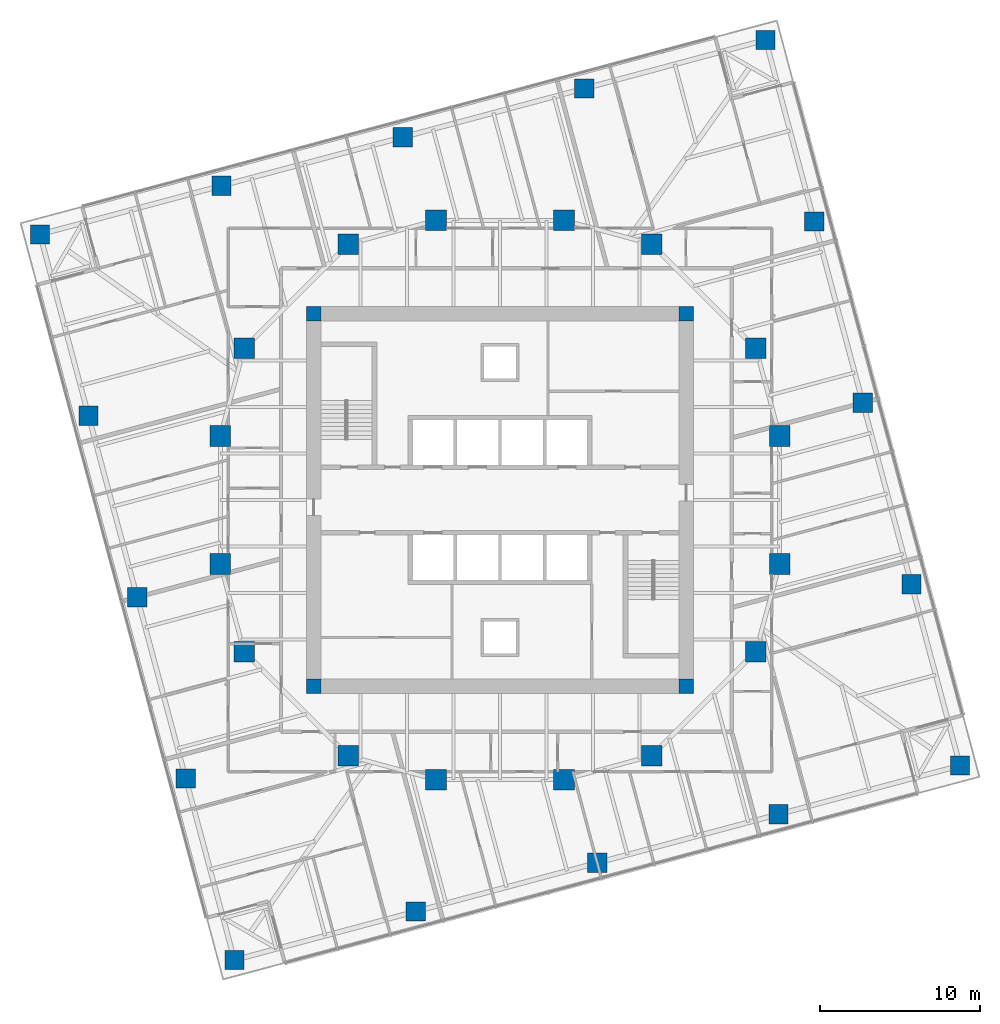
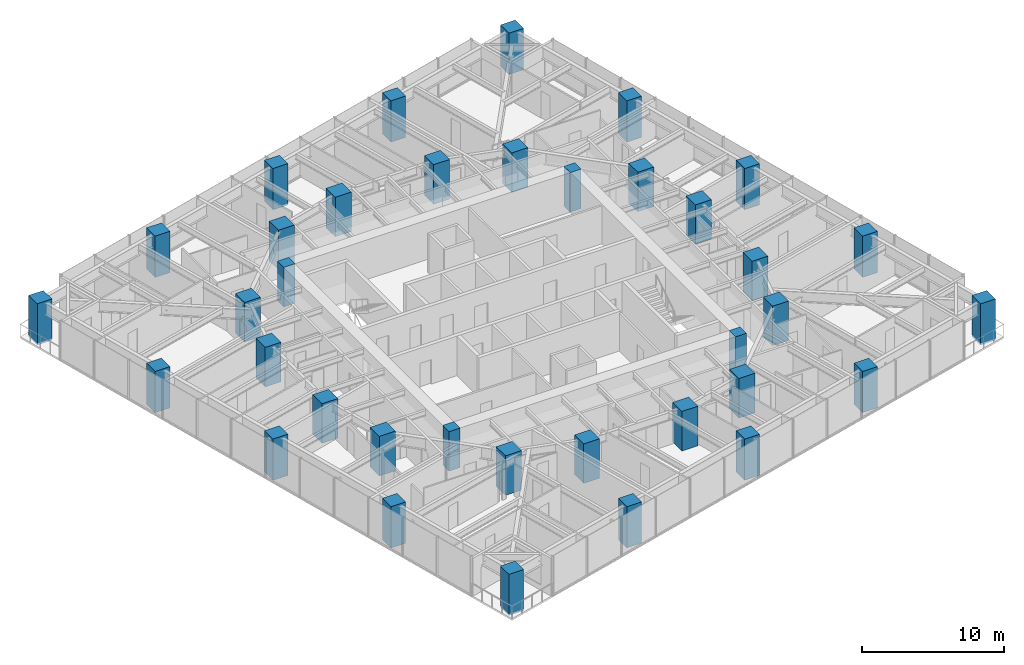
# One storey, part 1 of 14: 36 columns.
"""IFC4 building model written with IfcOpenShell, lengths in metres."""

from ifc_helpers import new_model, si_unit, direction, frame, origin, origin_2d, place, context, subcontext, project, spatial, rectangle, extrude, material, material_profile, profile_set, type_object, element, save


model = new_model("IFC4")

# Units and contexts
model_context = context("Model", 3, precision=1e-05, world=origin(), true_north=direction((0.0, 1.0)))
body_context = subcontext(model_context, "Body", "Model", "MODEL_VIEW")
ifc_project = project(units=[si_unit("LENGTHUNIT", "METRE"), si_unit("AREAUNIT", "SQUARE_METRE"), si_unit("VOLUMEUNIT", "CUBIC_METRE"), si_unit("PLANEANGLEUNIT", "RADIAN"), si_unit("MASSUNIT", "GRAM", prefix="KILO")], contexts=[model_context])

# Site, building, storey
site_placement = place(None, origin())
site = spatial("IfcSite", under=ifc_project, at=site_placement, CompositionType="ELEMENT")
building_placement = place(site_placement, origin())
building = spatial("IfcBuilding", under=site, at=building_placement, Name="Torsade Residences", CompositionType="ELEMENT")
storey_placement = place(building_placement, frame((0.0, 0.0, 111.60009765625)))
storey = spatial("IfcBuildingStorey", under=building, at=storey_placement, Name="L30", CompositionType="ELEMENT", Elevation=111.60009765625)

# Columns
ifc_material_1 = material(Name="Concrete 80 MPa", Category="concrete")
ifc_material_profile_1 = material_profile(ifc_material_1, rectangle(XDim=0.89990234375, YDim=0.89990234375, at=origin_2d()), Name="RC 900x900")
ifc_profile_set_1 = profile_set([ifc_material_profile_1], Name="Concrete 80 MPa")
column_type_1 = type_object("IfcColumnType", Name="CORE CORNER COLUMN RC 900x900", PredefinedType="COLUMN", material=ifc_profile_set_1)
for number, where, z_axis, x_axis, name in (
    (1, (28.35009765625, 18.35009765625, 0.0), (0.0, 0.0, 1.0), (1.0, 0.0, 0.0), "Core corner column CC1 L30"),
    (2, (51.64990234375, 18.35009765625, 0.0), (0.0, 0.0, 1.0), (1.0, 0.0, 0.0), "Core corner column CC2 L30"),
    (3, (51.64990234375, 41.64990234375, 0.0), (0.0, 0.0, 1.0), (1.0, 0.0, 0.0), "Core corner column CC3 L30"),
    (4, (28.35009765625, 41.64990234375, 0.0), (0.0, 0.0, 1.0), (1.0, 0.0, 0.0), "Core corner column CC4 L30"),
):
    element("IfcColumn", number, at=place(storey_placement, frame(where, z_axis=z_axis, x_axis=x_axis)), inside=storey, type_object=column_type_1, Name=name, PredefinedType="COLUMN", context=body_context, shape_type="SweptSolid", body=[
        extrude(rectangle(XDim=0.89990234375, YDim=0.89990234375, at=origin_2d()), origin(), (0.0, 0.0, 1.0), 3.39990234375),
    ])
ifc_material_2 = material(Name="Concrete 80 MPa", Category="concrete")
ifc_material_profile_2 = material_profile(ifc_material_2, rectangle(XDim=1.300048828125, YDim=1.300048828125, at=origin_2d()), Name="RC 1300x1300")
ifc_profile_set_2 = profile_set([ifc_material_profile_2], Name="Concrete 80 MPa")
column_type_2 = type_object("IfcColumnType", Name="INNER RING COLUMN RC 1300x1300", PredefinedType="COLUMN", material=ifc_profile_set_2)
for number, where, z_axis, x_axis, name in (
    (5, (57.5, 26.0, 0.0), (0.0, 0.0, 1.0), (1.0, 0.0, 0.0), "Inner ring column IR01 L30"),
    (6, (57.5, 34.0, 0.0), (0.0, 0.0, 1.0), (1.0, 0.0, 0.0), "Inner ring column IR02 L30"),
    (7, (56.0, 39.5, 0.0), (0.0, 0.0, 1.0), (1.0, 0.0, 0.0), "Inner ring column IR03 L30"),
    (8, (49.5, 46.0, 0.0), (0.0, 0.0, 1.0), (1.0, 0.0, 0.0), "Inner ring column IR04 L30"),
    (9, (44.0, 47.5, 0.0), (0.0, 0.0, 1.0), (1.0, 0.0, 0.0), "Inner ring column IR05 L30"),
    (10, (36.0, 47.5, 0.0), (0.0, 0.0, 1.0), (1.0, 0.0, 0.0), "Inner ring column IR06 L30"),
    (11, (30.5, 46.0, 0.0), (0.0, 0.0, 1.0), (1.0, 0.0, 0.0), "Inner ring column IR07 L30"),
    (12, (24.0, 39.5, 0.0), (0.0, 0.0, 1.0), (1.0, 0.0, 0.0), "Inner ring column IR08 L30"),
    (13, (22.5, 34.0, 0.0), (0.0, 0.0, 1.0), (1.0, 0.0, 0.0), "Inner ring column IR09 L30"),
    (14, (22.5, 26.0, 0.0), (0.0, 0.0, 1.0), (1.0, 0.0, 0.0), "Inner ring column IR10 L30"),
    (15, (24.0, 20.5, 0.0), (0.0, 0.0, 1.0), (1.0, 0.0, 0.0), "Inner ring column IR11 L30"),
    (16, (30.5, 14.0, 0.0), (0.0, 0.0, 1.0), (1.0, 0.0, 0.0), "Inner ring column IR12 L30"),
    (17, (36.0, 12.5, 0.0), (0.0, 0.0, 1.0), (1.0, 0.0, 0.0), "Inner ring column IR13 L30"),
    (18, (44.0, 12.5, 0.0), (0.0, 0.0, 1.0), (1.0, 0.0, 0.0), "Inner ring column IR14 L30"),
    (19, (49.5, 14.0, 0.0), (0.0, 0.0, 1.0), (1.0, 0.0, 0.0), "Inner ring column IR15 L30"),
    (20, (56.0, 20.5, 0.0), (0.0, 0.0, 1.0), (1.0, 0.0, 0.0), "Inner ring column IR16 L30"),
):
    element("IfcColumn", number, at=place(storey_placement, frame(where, z_axis=z_axis, x_axis=x_axis)), inside=storey, type_object=column_type_2, Name=name, PredefinedType="COLUMN", context=body_context, shape_type="SweptSolid", body=[
        extrude(rectangle(XDim=1.300048828125, YDim=1.300048828125, at=origin_2d()), origin(), (0.0, 0.0, 1.0), 3.39990234375),
    ])
ifc_material_3 = material(Name="Concrete 80 MPa", Category="concrete")
ifc_material_profile_3 = material_profile(ifc_material_3, rectangle(XDim=1.199951171875, YDim=1.199951171875, at=origin_2d()), Name="RC 1200x1200")
ifc_profile_set_3 = profile_set([ifc_material_profile_3], Name="Concrete 80 MPa")
column_type_3 = type_object("IfcColumnType", Name="TOWER COLUMN RC 1200x1200", PredefinedType="COLUMN", material=ifc_profile_set_3)
for number, where, z_axis, x_axis, name in (
    (21, (23.383056640625, 1.218505859375, -0.150146484375), (0.0, 0.0, 1.0), (1.0, 0.0, 0.0), "Column TC4-01 L30"),
    (22, (34.732666015625, 4.259521484375, -0.150146484375), (0.0, 0.0, 1.0), (1.0, 0.0, 0.0), "Column TC4-02 L30"),
    (23, (46.082275390625, 7.30078125, -0.150146484375), (0.0, 0.0, 1.0), (1.0, 0.0, 0.0), "Column TC4-03 L30"),
    (24, (57.431884765625, 10.341796875, -0.150146484375), (0.0, 0.0, 1.0), (1.0, 0.0, 0.0), "Column TC4-04 L30"),
    (25, (68.781494140625, 13.383056640625, -0.150146484375), (0.0, 0.0, 1.0), (1.0, 0.0, 0.0), "Column TC4-05 L30"),
    (26, (65.740478515625, 24.732666015625, -0.150146484375), (0.0, 0.0, 1.0), (1.0, 0.0, 0.0), "Column TC4-06 L30"),
    (27, (62.69921875, 36.082275390625, -0.150146484375), (0.0, 0.0, 1.0), (1.0, 0.0, 0.0), "Column TC4-07 L30"),
    (28, (59.658203125, 47.431884765625, -0.150146484375), (0.0, 0.0, 1.0), (1.0, 0.0, 0.0), "Column TC4-08 L30"),
    (29, (56.616943359375, 58.781494140625, -0.150146484375), (0.0, 0.0, 1.0), (1.0, 0.0, 0.0), "Column TC4-09 L30"),
    (30, (45.267333984375, 55.740478515625, -0.150146484375), (0.0, 0.0, 1.0), (1.0, 0.0, 0.0), "Column TC4-10 L30"),
    (31, (33.917724609375, 52.69921875, -0.150146484375), (0.0, 0.0, 1.0), (1.0, 0.0, 0.0), "Column TC4-11 L30"),
    (32, (22.568115234375, 49.658203125, -0.150146484375), (0.0, 0.0, 1.0), (1.0, 0.0, 0.0), "Column TC4-12 L30"),
    (33, (11.218505859375, 46.616943359375, -0.150146484375), (0.0, 0.0, 1.0), (1.0, 0.0, 0.0), "Column TC4-13 L30"),
    (34, (14.259521484375, 35.267333984375, -0.150146484375), (0.0, 0.0, 1.0), (1.0, 0.0, 0.0), "Column TC4-14 L30"),
    (35, (17.30078125, 23.917724609375, -0.150146484375), (0.0, 0.0, 1.0), (1.0, 0.0, 0.0), "Column TC4-15 L30"),
    (36, (20.341796875, 12.568115234375, -0.150146484375), (0.0, 0.0, 1.0), (1.0, 0.0, 0.0), "Column TC4-16 L30"),
):
    element("IfcColumn", number, at=place(storey_placement, frame(where, z_axis=z_axis, x_axis=x_axis)), inside=storey, type_object=column_type_3, Name=name, PredefinedType="COLUMN", context=body_context, shape_type="SweptSolid", body=[
        extrude(rectangle(XDim=1.199951171875, YDim=1.199951171875, at=origin_2d()), origin(), (0.0, 0.0, 1.0), 3.550048828125),
    ])

save(model, "model.ifc")
